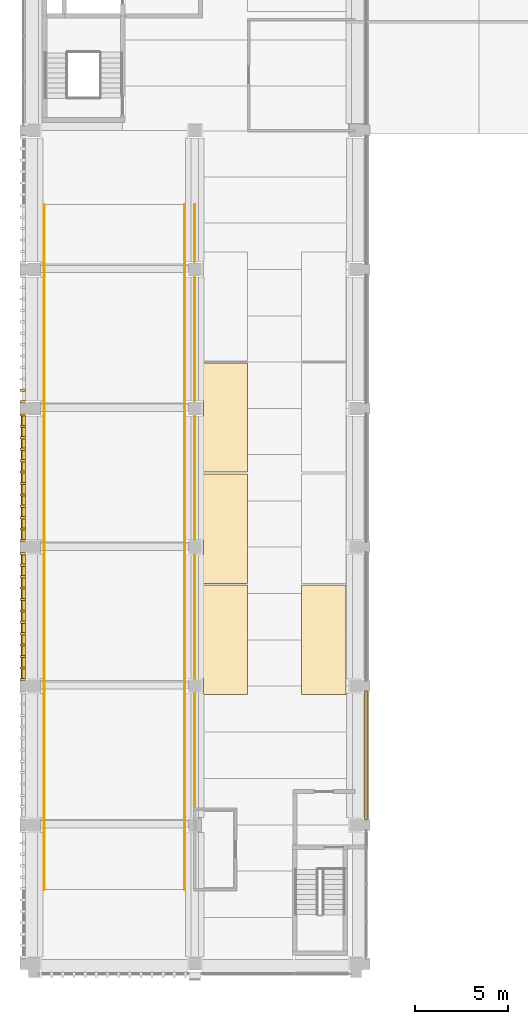
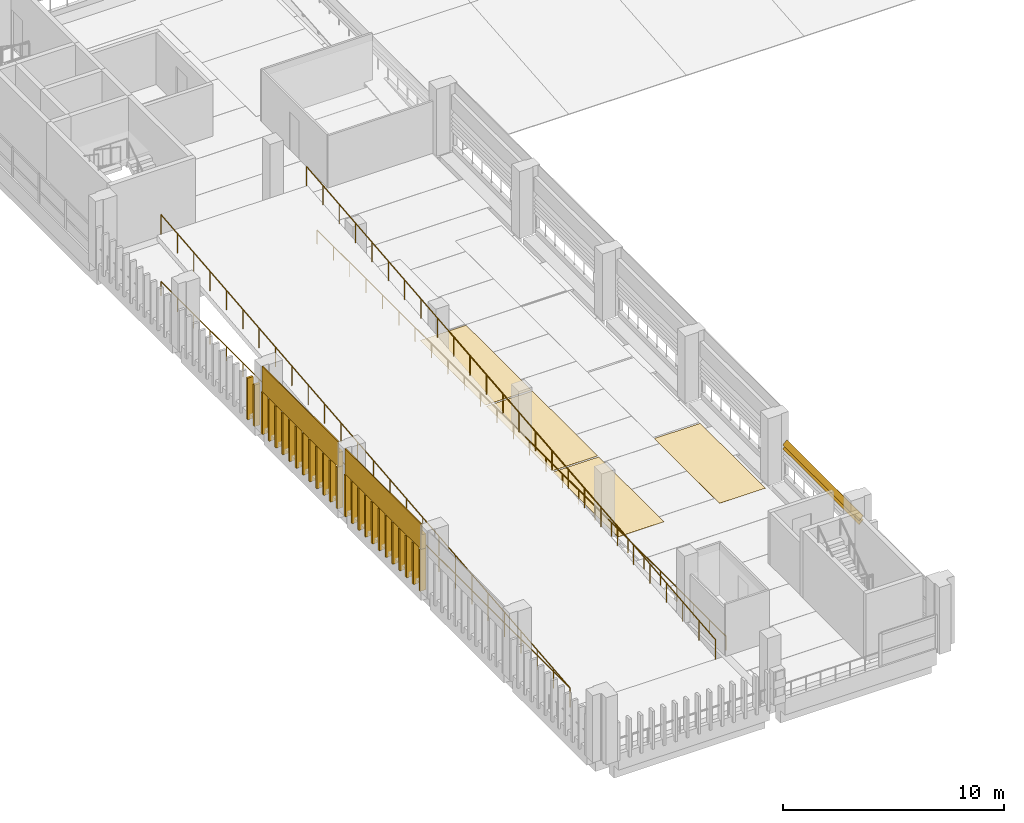
# One storey, part 16 of 24: 32 coverings, 4 railings, 2 shading devices.
"""IFC4 building model written with IfcOpenShell, lengths in metres."""

import ifcopenshell
import ifcopenshell.guid

model = None  # the IFC model being written
_history = None  # IfcOwnerHistory: only IFC2X3 demands one
_inside = {}  # id of a spatial element -> (the spatial element, [elements in it])
_under = {}  # id of a project, library or spatial element -> (it, [spatial elements below it])
_declared = {}  # id of a project -> (the project, [libraries it declares])
_typed = {}  # id of a type object -> (the type object, [elements of that type])
_made_of = {}  # id of a material, layer set ... -> (it, [elements and type objects made of it])


def new_model(schema):
    """Start an empty IFC model of exactly this schema.

    Asked for "IFC4X3", IfcOpenShell would pick the latest addendum, in which some entities
    have other attributes; the version numbers below select the first issue.
    IFC2X3 requires an IfcOwnerHistory on every rooted entity: one is made here for all.
    """
    global model, _history
    if schema == "IFC4X3":
        model = ifcopenshell.file(schema_version=(4, 3, 0, 0))
    else:
        model = ifcopenshell.file(schema=schema)
    _inside.clear()
    _under.clear()
    _declared.clear()
    _typed.clear()
    _made_of.clear()
    _history = None
    if model.schema == "IFC2X3":
        org = make("IfcOrganization", Name="unknown")
        user = make(
            "IfcPersonAndOrganization",
            ThePerson=make("IfcPerson", FamilyName="unknown"),
            TheOrganization=org,
        )
        app = make(
            "IfcApplication",
            ApplicationDeveloper=org,
            Version="unknown",
            ApplicationFullName="unknown",
            ApplicationIdentifier="unknown",
        )
        _history = make(
            "IfcOwnerHistory",
            OwningUser=user,
            OwningApplication=app,
            ChangeAction="ADDED",
            CreationDate=0,
        )
    return model


def make(cls, **values):
    """One entity of the class cls with the attributes given. An attribute that is None is left unset."""
    return model.create_entity(
        cls, **{name: value for name, value in values.items() if value is not None}
    )


def rooted(cls, **values):
    """An entity with a GlobalId (a new one), such as an element, a storey or a relation."""
    return make(cls, GlobalId=ifcopenshell.guid.new(), OwnerHistory=_history, **values)


def si_unit(unit_type, name, prefix=None):
    """IfcSIUnit, for example si_unit("LENGTHUNIT", "METRE", prefix="MILLI")."""
    return make("IfcSIUnit", UnitType=unit_type, Prefix=prefix, Name=name)


def assignment(units):
    """IfcUnitAssignment: the units of a project."""
    return None if units is None else make("IfcUnitAssignment", Units=units)


def point(xyz):
    """IfcCartesianPoint."""
    return None if xyz is None else make("IfcCartesianPoint", Coordinates=xyz)


def direction(xyz):
    """IfcDirection."""
    return None if xyz is None else make("IfcDirection", DirectionRatios=xyz)


def frame(location, z_axis=None, x_axis=None):
    """IfcAxis2Placement3D, a coordinate frame: its origin and axes. An axis left out is left unset."""
    return make(
        "IfcAxis2Placement3D",
        Location=point(location),
        Axis=direction(z_axis),
        RefDirection=direction(x_axis),
    )


def frame_2d(location, x_axis=None):
    """IfcAxis2Placement2D, a coordinate frame in the plane: its origin and x axis."""
    return make(
        "IfcAxis2Placement2D", Location=point(location), RefDirection=direction(x_axis)
    )


def origin():
    """The frame at (0, 0, 0) with its axes left unset."""
    return frame((0.0, 0.0, 0.0))


def origin_2d():
    """The frame at (0, 0) in the plane with its x axis left unset."""
    return frame_2d((0.0, 0.0))


def place(relative_to, where):
    """IfcLocalPlacement: puts the frame where relative to a parent placement (None: the world)."""
    return make(
        "IfcLocalPlacement", PlacementRelTo=relative_to, RelativePlacement=where
    )


def context(
    kind, dimensions, precision=None, world=None, true_north=None, identifier=None
):
    """IfcGeometricRepresentationContext, for example the 3D "Model" context."""
    return make(
        "IfcGeometricRepresentationContext",
        ContextIdentifier=identifier,
        ContextType=kind,
        CoordinateSpaceDimension=dimensions,
        Precision=precision,
        WorldCoordinateSystem=world,
        TrueNorth=true_north,
    )


def subcontext(parent, identifier, kind, view, scale=None):
    """IfcGeometricRepresentationSubContext, for example "Body" below "Model"."""
    return make(
        "IfcGeometricRepresentationSubContext",
        ContextIdentifier=identifier,
        ContextType=kind,
        ParentContext=parent,
        TargetScale=scale,
        TargetView=view,
    )


def project(units=None, contexts=None):
    """IfcProject with its units and contexts."""
    return rooted(
        "IfcProject",
        Name="project",
        RepresentationContexts=contexts,
        UnitsInContext=assignment(units),
    )


def spatial(cls, under=None, at=None, **own):
    """A site, building, storey or space (cls), placed at a placement, below another one or the project."""
    s = rooted(cls, ObjectPlacement=at, **own)
    if under is not None:
        _under.setdefault(under.id(), (under, []))[1].append(s)
    return s


def polyline(points):
    """IfcPolyline through the points."""
    return make("IfcPolyline", Points=[point(p) for p in points])


def profile(cls, at=None, kind="AREA", **sizes):
    """A parametric profile (cls). Its sizes go by their IFC names, for example OverallWidth=200.0."""
    return make(cls, ProfileType=kind, Position=at, **sizes)


def circle(**sizes):
    """IfcCircleProfileDef."""
    return profile("IfcCircleProfileDef", **sizes)


def outline(outer, holes=None, kind="AREA"):
    """IfcArbitraryClosedProfileDef: a profile drawn as a closed curve; with holes, ...WithVoids."""
    if holes is None:
        return make("IfcArbitraryClosedProfileDef", ProfileType=kind, OuterCurve=outer)
    return make(
        "IfcArbitraryProfileDefWithVoids",
        ProfileType=kind,
        OuterCurve=outer,
        InnerCurves=holes,
    )


def extrude(swept, where, along, depth):
    """IfcExtrudedAreaSolid: the profile swept, set in the frame where, extruded along a direction by depth."""
    return make(
        "IfcExtrudedAreaSolid",
        SweptArea=swept,
        Position=where,
        ExtrudedDirection=direction(along),
        Depth=depth,
    )


def shape(context_of_items, identifier, shape_type, items):
    """IfcShapeRepresentation: the items that make up one representation, for example the "Body"."""
    return make(
        "IfcShapeRepresentation",
        ContextOfItems=context_of_items,
        RepresentationIdentifier=identifier,
        RepresentationType=shape_type,
        Items=items,
    )


def material(Name=None, Category=None):
    """IfcMaterial."""
    return make("IfcMaterial", Name=Name, Category=Category)


def layer(
    of_material, thickness, ventilated=None, Name=None, Category=None, Priority=None
):
    """IfcMaterialLayer: one layer of a wall or slab, of a material (None: an air gap)."""
    return make(
        "IfcMaterialLayer",
        Material=of_material,
        LayerThickness=thickness,
        IsVentilated=ventilated,
        Name=Name,
        Category=Category,
        Priority=Priority,
    )


def layer_set(layers, Name=None):
    """IfcMaterialLayerSet."""
    return make("IfcMaterialLayerSet", MaterialLayers=layers, LayerSetName=Name)


def made_of(thing, what):
    """Note that an element or type object is made of a material, layer set ...; save() writes the relation."""
    if what is not None:
        _made_of.setdefault(what.id(), (what, []))[1].append(thing)
    return thing


def type_object(cls, material=None, **own):
    """A type object (cls), such as IfcWallType, which elements share."""
    return made_of(rooted(cls, **own), material)


def element(
    cls,
    number,
    at=None,
    inside=None,
    cuts=None,
    type_object=None,
    material=None,
    context=None,
    identifier="Body",
    shape_type=None,
    held_by="IfcProductDefinitionShape",
    body=None,
    shapes=None,
    **own,
):
    """One element of the class cls, such as IfcWall. Its Tag is "e" and its number.

    at: its placement. inside: the storey or other place that contains it. cuts: it is an
    opening in that element (IfcRelVoidsElement). A single representation is given by context,
    identifier, shape_type and body (its items); several are given by shapes. held_by: the class
    of the entity that holds the representations. save() writes the other relations.
    """
    e = rooted(cls, Tag="e%d" % number, ObjectPlacement=at, **own)
    if body is not None:
        shapes = [shape(context, identifier, shape_type, body)]
    if shapes is not None:
        e.Representation = make(held_by, Representations=shapes)
    if inside is not None:
        _inside.setdefault(inside.id(), (inside, []))[1].append(e)
    if cuts is not None:
        rooted(
            "IfcRelVoidsElement", RelatingBuildingElement=cuts, RelatedOpeningElement=e
        )
    if type_object is not None:
        _typed.setdefault(type_object.id(), (type_object, []))[1].append(e)
    return made_of(e, material)


def aggregate(whole, parts):
    """IfcRelAggregates: a whole, such as a stair, and the parts it consists of."""
    return rooted("IfcRelAggregates", RelatingObject=whole, RelatedObjects=parts)


def save(model, path):
    """Write the relations noted so far, then the file.

    IfcRelAggregates (storeys below a building ...), IfcRelContainedInSpatialStructure (elements
    in a storey), IfcRelDefinesByType, IfcRelAssociatesMaterial and IfcRelDeclares: one each for
    every whole, place, type object, material and project.
    """
    for whole, parts in _under.values():
        aggregate(whole, parts)
    for where, things in _inside.values():
        rooted(
            "IfcRelContainedInSpatialStructure",
            RelatedElements=things,
            RelatingStructure=where,
        )
    for kind, things in _typed.values():
        rooted("IfcRelDefinesByType", RelatedObjects=things, RelatingType=kind)
    for what, things in _made_of.values():
        rooted("IfcRelAssociatesMaterial", RelatedObjects=things, RelatingMaterial=what)
    for by, libraries in _declared.values():
        rooted("IfcRelDeclares", RelatingContext=by, RelatedDefinitions=libraries)
    model.write(path)


model = new_model("IFC4")

# Units and contexts
model_context = context("Model", 3, precision=1e-05, world=origin(), true_north=direction((0.0, 1.0)))
body_context = subcontext(model_context, "Body", "Model", "MODEL_VIEW")
ifc_project = project(units=[si_unit("LENGTHUNIT", "METRE"), si_unit("AREAUNIT", "SQUARE_METRE"), si_unit("VOLUMEUNIT", "CUBIC_METRE"), si_unit("PLANEANGLEUNIT", "RADIAN"), si_unit("MASSUNIT", "GRAM", prefix="KILO")], contexts=[model_context])

# Site, building, storey
site_placement = place(None, origin())
site = spatial("IfcSite", under=ifc_project, at=site_placement, CompositionType="ELEMENT")
building_placement = place(site_placement, origin())
building = spatial("IfcBuilding", under=site, at=building_placement, Name="Cour d'Honneur Mobility Palace", CompositionType="ELEMENT")
storey_placement = place(building_placement, frame((0.0, 0.0, 26.699951171875)))
storey = spatial("IfcBuildingStorey", under=building, at=storey_placement, Name="L07", CompositionType="ELEMENT", Elevation=26.699951171875)

# Coverings
ifc_material_1 = material(Name="Parking marking paint")
ifc_layer_1 = layer(ifc_material_1, 0.0048828125)
ifc_layer_set_1 = layer_set([ifc_layer_1], Name="Parking marking paint")
covering_type_1 = type_object("IfcCoveringType", Name="Parking bay marking", PredefinedType="FLOORING", material=ifc_layer_set_1)
covering_1_placement = place(storey_placement, origin())
element("IfcCovering", 1, at=covering_1_placement, inside=storey, type_object=covering_type_1, Name="Parking bay marking L07 9", PredefinedType="FLOORING", context=body_context, shape_type="SweptSolid", body=[
    extrude(outline(polyline([(11.550048828125, 14.550048828125), (9.14990234375, 14.550048828125), (9.14990234375, 20.449951171875), (11.550048828125, 20.449951171875), (11.550048828125, 14.550048828125)])), origin(), (0.0, 0.0, 1.0), 0.005126953125),
])
covering_2_placement = place(storey_placement, origin())
element("IfcCovering", 2, at=covering_2_placement, inside=storey, type_object=covering_type_1, Name="Parking bay marking L07 10", PredefinedType="FLOORING", context=body_context, shape_type="SweptSolid", body=[
    extrude(outline(polyline([(11.550048828125, 20.550048828125), (9.14990234375, 20.550048828125), (9.14990234375, 26.449951171875), (11.550048828125, 26.449951171875), (11.550048828125, 20.550048828125)])), origin(), (0.0, 0.0, 1.0), 0.005126953125),
])
covering_3_placement = place(storey_placement, origin())
element("IfcCovering", 3, at=covering_3_placement, inside=storey, type_object=covering_type_1, Name="Parking bay marking L07 11", PredefinedType="FLOORING", context=body_context, shape_type="SweptSolid", body=[
    extrude(outline(polyline([(11.550048828125, 26.550048828125), (9.14990234375, 26.550048828125), (9.14990234375, 32.449951171875), (11.550048828125, 32.449951171875), (11.550048828125, 26.550048828125)])), origin(), (0.0, 0.0, 1.0), 0.005126953125),
])
covering_4_placement = place(storey_placement, origin())
element("IfcCovering", 4, at=covering_4_placement, inside=storey, type_object=covering_type_1, Name="Parking bay marking L07 13", PredefinedType="FLOORING", context=body_context, shape_type="SweptSolid", body=[
    extrude(outline(polyline([(16.85009765625, 14.550048828125), (14.449951171875, 14.550048828125), (14.449951171875, 20.449951171875), (16.85009765625, 20.449951171875), (16.85009765625, 14.550048828125)])), origin(), (0.0, 0.0, 1.0), 0.005126953125),
])

# Railings
ifc_material_2 = material(Name="Painted steel", Category="steel")
railing_type_1 = type_object("IfcRailingType", Name="Ramp guard 1100", PredefinedType="GUARDRAIL", material=ifc_material_2)
railing_1_placement = place(storey_placement, frame((0.550048828125, 4.0, 0.0)))
element("IfcRailing", 5, at=railing_1_placement, inside=storey, type_object=railing_type_1, Name="Ramp guard Ramp West 8", PredefinedType="GUARDRAIL", context=body_context, shape_type="SweptSolid", body=[
    extrude(circle(Radius=0.02490234375, at=origin_2d()), frame((0.0, 0.0, 1.0751953125), z_axis=(0.0, 0.995037320222, 0.099502418892), x_axis=(-1.0, 0.0, 0.0)), (0.0, 0.0, 1.0), 37.1845703125),
    extrude(circle(Radius=0.02099609375, at=origin_2d()), origin(), (0.0, 0.0, 1.0), 1.050048828125),
    extrude(circle(Radius=0.02099609375, at=origin_2d()), frame((0.0, 1.47998046875, 0.14794921875)), (0.0, 0.0, 1.0), 1.050048828125),
    extrude(circle(Radius=0.02099609375, at=origin_2d()), frame((0.0, 2.9599609375, 0.2958984375)), (0.0, 0.0, 1.0), 1.050048828125),
    extrude(circle(Radius=0.02099609375, at=origin_2d()), frame((0.0, 4.43994140625, 0.444091796875)), (0.0, 0.0, 1.0), 1.050048828125),
    extrude(circle(Radius=0.02099609375, at=origin_2d()), frame((0.0, 5.919921875, 0.592041015625)), (0.0, 0.0, 1.0), 1.050048828125),
    extrude(circle(Radius=0.02099609375, at=origin_2d()), frame((0.0, 7.39990234375, 0.739990234375)), (0.0, 0.0, 1.0), 1.050048828125),
    extrude(circle(Radius=0.02099609375, at=origin_2d()), frame((0.0, 8.8798828125, 0.887939453125)), (0.0, 0.0, 1.0), 1.050048828125),
    extrude(circle(Radius=0.02099609375, at=origin_2d()), frame((0.0, 10.360107421875, 1.035888671875)), (0.0, 0.0, 1.0), 1.050048828125),
    extrude(circle(Radius=0.02099609375, at=origin_2d()), frame((0.0, 11.840087890625, 1.18408203125)), (0.0, 0.0, 1.0), 1.050048828125),
    extrude(circle(Radius=0.02099609375, at=origin_2d()), frame((0.0, 13.320068359375, 1.33203125)), (0.0, 0.0, 1.0), 1.050048828125),
    extrude(circle(Radius=0.02099609375, at=origin_2d()), frame((0.0, 14.800048828125, 1.47998046875)), (0.0, 0.0, 1.0), 1.050048828125),
    extrude(circle(Radius=0.02099609375, at=origin_2d()), frame((0.0, 16.280029296875, 1.6279296875)), (0.0, 0.0, 1.0), 1.050048828125),
    extrude(circle(Radius=0.02099609375, at=origin_2d()), frame((0.0, 17.760009765625, 1.77587890625)), (0.0, 0.0, 1.0), 1.050048828125),
    extrude(circle(Radius=0.02099609375, at=origin_2d()), frame((0.0, 19.239990234375, 1.924072265625)), (0.0, 0.0, 1.0), 1.050048828125),
    extrude(circle(Radius=0.02099609375, at=origin_2d()), frame((0.0, 20.719970703125, 2.072021484375)), (0.0, 0.0, 1.0), 1.050048828125),
    extrude(circle(Radius=0.02099609375, at=origin_2d()), frame((0.0, 22.199951171875, 2.219970703125)), (0.0, 0.0, 1.0), 1.050048828125),
    extrude(circle(Radius=0.02099609375, at=origin_2d()), frame((0.0, 23.679931640625, 2.367919921875)), (0.0, 0.0, 1.0), 1.050048828125),
    extrude(circle(Radius=0.02099609375, at=origin_2d()), frame((0.0, 25.159912109375, 2.515869140625)), (0.0, 0.0, 1.0), 1.050048828125),
    extrude(circle(Radius=0.02099609375, at=origin_2d()), frame((0.0, 26.639892578125, 2.6640625)), (0.0, 0.0, 1.0), 1.050048828125),
    extrude(circle(Radius=0.02099609375, at=origin_2d()), frame((0.0, 28.1201171875, 2.81201171875)), (0.0, 0.0, 1.0), 1.050048828125),
    extrude(circle(Radius=0.02099609375, at=origin_2d()), frame((0.0, 29.60009765625, 2.9599609375)), (0.0, 0.0, 1.0), 1.050048828125),
    extrude(circle(Radius=0.02099609375, at=origin_2d()), frame((0.0, 31.080078125, 3.10791015625)), (0.0, 0.0, 1.0), 1.050048828125),
    extrude(circle(Radius=0.02099609375, at=origin_2d()), frame((0.0, 32.56005859375, 3.255859375)), (0.0, 0.0, 1.0), 1.050048828125),
    extrude(circle(Radius=0.02099609375, at=origin_2d()), frame((0.0, 34.0400390625, 3.404052734375)), (0.0, 0.0, 1.0), 1.050048828125),
    extrude(circle(Radius=0.02099609375, at=origin_2d()), frame((0.0, 35.52001953125, 3.552001953125)), (0.0, 0.0, 1.0), 1.050048828125),
    extrude(circle(Radius=0.02099609375, at=origin_2d()), frame((0.0, 37.0, 3.699951171875)), (0.0, 0.0, 1.0), 1.050048828125),
])
railing_2_placement = place(storey_placement, frame((8.14990234375, 4.0, 0.0)))
element("IfcRailing", 6, at=railing_2_placement, inside=storey, type_object=railing_type_1, Name="Ramp guard Ramp West 8", PredefinedType="GUARDRAIL", context=body_context, shape_type="SweptSolid", body=[
    extrude(circle(Radius=0.02490234375, at=origin_2d()), frame((0.0, 0.0, 1.0751953125), z_axis=(0.0, 0.995037320222, 0.099502418892), x_axis=(-1.0, 0.0, 0.0)), (0.0, 0.0, 1.0), 37.1845703125),
    extrude(circle(Radius=0.02099609375, at=origin_2d()), origin(), (0.0, 0.0, 1.0), 1.050048828125),
    extrude(circle(Radius=0.02099609375, at=origin_2d()), frame((0.0, 1.47998046875, 0.14794921875)), (0.0, 0.0, 1.0), 1.050048828125),
    extrude(circle(Radius=0.02099609375, at=origin_2d()), frame((0.0, 2.9599609375, 0.2958984375)), (0.0, 0.0, 1.0), 1.050048828125),
    extrude(circle(Radius=0.02099609375, at=origin_2d()), frame((0.0, 4.43994140625, 0.444091796875)), (0.0, 0.0, 1.0), 1.050048828125),
    extrude(circle(Radius=0.02099609375, at=origin_2d()), frame((0.0, 5.919921875, 0.592041015625)), (0.0, 0.0, 1.0), 1.050048828125),
    extrude(circle(Radius=0.02099609375, at=origin_2d()), frame((0.0, 7.39990234375, 0.739990234375)), (0.0, 0.0, 1.0), 1.050048828125),
    extrude(circle(Radius=0.02099609375, at=origin_2d()), frame((0.0, 8.8798828125, 0.887939453125)), (0.0, 0.0, 1.0), 1.050048828125),
    extrude(circle(Radius=0.02099609375, at=origin_2d()), frame((0.0, 10.360107421875, 1.035888671875)), (0.0, 0.0, 1.0), 1.050048828125),
    extrude(circle(Radius=0.02099609375, at=origin_2d()), frame((0.0, 11.840087890625, 1.18408203125)), (0.0, 0.0, 1.0), 1.050048828125),
    extrude(circle(Radius=0.02099609375, at=origin_2d()), frame((0.0, 13.320068359375, 1.33203125)), (0.0, 0.0, 1.0), 1.050048828125),
    extrude(circle(Radius=0.02099609375, at=origin_2d()), frame((0.0, 14.800048828125, 1.47998046875)), (0.0, 0.0, 1.0), 1.050048828125),
    extrude(circle(Radius=0.02099609375, at=origin_2d()), frame((0.0, 16.280029296875, 1.6279296875)), (0.0, 0.0, 1.0), 1.050048828125),
    extrude(circle(Radius=0.02099609375, at=origin_2d()), frame((0.0, 17.760009765625, 1.77587890625)), (0.0, 0.0, 1.0), 1.050048828125),
    extrude(circle(Radius=0.02099609375, at=origin_2d()), frame((0.0, 19.239990234375, 1.924072265625)), (0.0, 0.0, 1.0), 1.050048828125),
    extrude(circle(Radius=0.02099609375, at=origin_2d()), frame((0.0, 20.719970703125, 2.072021484375)), (0.0, 0.0, 1.0), 1.050048828125),
    extrude(circle(Radius=0.02099609375, at=origin_2d()), frame((0.0, 22.199951171875, 2.219970703125)), (0.0, 0.0, 1.0), 1.050048828125),
    extrude(circle(Radius=0.02099609375, at=origin_2d()), frame((0.0, 23.679931640625, 2.367919921875)), (0.0, 0.0, 1.0), 1.050048828125),
    extrude(circle(Radius=0.02099609375, at=origin_2d()), frame((0.0, 25.159912109375, 2.515869140625)), (0.0, 0.0, 1.0), 1.050048828125),
    extrude(circle(Radius=0.02099609375, at=origin_2d()), frame((0.0, 26.639892578125, 2.6640625)), (0.0, 0.0, 1.0), 1.050048828125),
    extrude(circle(Radius=0.02099609375, at=origin_2d()), frame((0.0, 28.1201171875, 2.81201171875)), (0.0, 0.0, 1.0), 1.050048828125),
    extrude(circle(Radius=0.02099609375, at=origin_2d()), frame((0.0, 29.60009765625, 2.9599609375)), (0.0, 0.0, 1.0), 1.050048828125),
    extrude(circle(Radius=0.02099609375, at=origin_2d()), frame((0.0, 31.080078125, 3.10791015625)), (0.0, 0.0, 1.0), 1.050048828125),
    extrude(circle(Radius=0.02099609375, at=origin_2d()), frame((0.0, 32.56005859375, 3.255859375)), (0.0, 0.0, 1.0), 1.050048828125),
    extrude(circle(Radius=0.02099609375, at=origin_2d()), frame((0.0, 34.0400390625, 3.404052734375)), (0.0, 0.0, 1.0), 1.050048828125),
    extrude(circle(Radius=0.02099609375, at=origin_2d()), frame((0.0, 35.52001953125, 3.552001953125)), (0.0, 0.0, 1.0), 1.050048828125),
    extrude(circle(Radius=0.02099609375, at=origin_2d()), frame((0.0, 37.0, 3.699951171875)), (0.0, 0.0, 1.0), 1.050048828125),
])

# Coverings
ifc_material_3 = material(Name="Cast limestone", Category="masonry")
ifc_layer_2 = layer(ifc_material_3, 0.1201171875)
ifc_layer_set_2 = layer_set([ifc_layer_2], Name="Cast limestone")
covering_type_2 = type_object("IfcCoveringType", Name="Ramp screen fin", PredefinedType="CLADDING", material=ifc_layer_set_2)
covering_5_placement = place(storey_placement, origin())
element("IfcCovering", 7, at=covering_5_placement, inside=storey, type_object=covering_type_2, Name="Ramp screen fin W3.2 L07 11", PredefinedType="CLADDING", context=body_context, shape_type="SweptSolid", body=[
    extrude(outline(polyline([(-0.449951171875, 31.036376953125), (-0.449951171875, 30.916259765625), (-0.75, 30.916259765625), (-0.75, 31.036376953125), (-0.449951171875, 31.036376953125)])), origin(), (0.0, 0.0, 1.0), 2.300048828125),
])
covering_6_placement = place(storey_placement, origin())
element("IfcCovering", 8, at=covering_6_placement, inside=storey, type_object=covering_type_2, Name="Ramp screen fin W3.2 L07 12", PredefinedType="CLADDING", context=body_context, shape_type="SweptSolid", body=[
    extrude(outline(polyline([(-0.449951171875, 30.419921875), (-0.449951171875, 30.300048828125), (-0.75, 30.300048828125), (-0.75, 30.419921875), (-0.449951171875, 30.419921875)])), origin(), (0.0, 0.0, 1.0), 2.300048828125),
])
covering_7_placement = place(storey_placement, origin())
element("IfcCovering", 9, at=covering_7_placement, inside=storey, type_object=covering_type_2, Name="Ramp screen fin W3.3 L07 1", PredefinedType="CLADDING", context=body_context, shape_type="SweptSolid", body=[
    extrude(outline(polyline([(-0.449951171875, 29.699951171875), (-0.449951171875, 29.580078125), (-0.75, 29.580078125), (-0.75, 29.699951171875), (-0.449951171875, 29.699951171875)])), origin(), (0.0, 0.0, 1.0), 2.300048828125),
])
covering_8_placement = place(storey_placement, origin())
element("IfcCovering", 10, at=covering_8_placement, inside=storey, type_object=covering_type_2, Name="Ramp screen fin W3.3 L07 2", PredefinedType="CLADDING", context=body_context, shape_type="SweptSolid", body=[
    extrude(outline(polyline([(-0.449951171875, 29.083740234375), (-0.449951171875, 28.963623046875), (-0.75, 28.963623046875), (-0.75, 29.083740234375), (-0.449951171875, 29.083740234375)])), origin(), (0.0, 0.0, 1.0), 2.300048828125),
])
covering_9_placement = place(storey_placement, origin())
element("IfcCovering", 11, at=covering_9_placement, inside=storey, type_object=covering_type_2, Name="Ramp screen fin W3.3 L07 3", PredefinedType="CLADDING", context=body_context, shape_type="SweptSolid", body=[
    extrude(outline(polyline([(-0.449951171875, 28.46728515625), (-0.449951171875, 28.34716796875), (-0.75, 28.34716796875), (-0.75, 28.46728515625), (-0.449951171875, 28.46728515625)])), origin(), (0.0, 0.0, 1.0), 2.300048828125),
])
covering_10_placement = place(storey_placement, origin())
element("IfcCovering", 12, at=covering_10_placement, inside=storey, type_object=covering_type_2, Name="Ramp screen fin W3.3 L07 4", PredefinedType="CLADDING", context=body_context, shape_type="SweptSolid", body=[
    extrude(outline(polyline([(-0.449951171875, 27.850830078125), (-0.449951171875, 27.73095703125), (-0.75, 27.73095703125), (-0.75, 27.850830078125), (-0.449951171875, 27.850830078125)])), origin(), (0.0, 0.0, 1.0), 2.300048828125),
])
covering_11_placement = place(storey_placement, origin())
element("IfcCovering", 13, at=covering_11_placement, inside=storey, type_object=covering_type_2, Name="Ramp screen fin W3.3 L07 5", PredefinedType="CLADDING", context=body_context, shape_type="SweptSolid", body=[
    extrude(outline(polyline([(-0.449951171875, 27.234619140625), (-0.449951171875, 27.114501953125), (-0.75, 27.114501953125), (-0.75, 27.234619140625), (-0.449951171875, 27.234619140625)])), origin(), (0.0, 0.0, 1.0), 2.300048828125),
])
covering_12_placement = place(storey_placement, origin())
element("IfcCovering", 14, at=covering_12_placement, inside=storey, type_object=covering_type_2, Name="Ramp screen fin W3.3 L07 6", PredefinedType="CLADDING", context=body_context, shape_type="SweptSolid", body=[
    extrude(outline(polyline([(-0.449951171875, 26.6181640625), (-0.449951171875, 26.498291015625), (-0.75, 26.498291015625), (-0.75, 26.6181640625), (-0.449951171875, 26.6181640625)])), origin(), (0.0, 0.0, 1.0), 2.300048828125),
])
covering_13_placement = place(storey_placement, origin())
element("IfcCovering", 15, at=covering_13_placement, inside=storey, type_object=covering_type_2, Name="Ramp screen fin W3.3 L07 7", PredefinedType="CLADDING", context=body_context, shape_type="SweptSolid", body=[
    extrude(outline(polyline([(-0.449951171875, 26.001708984375), (-0.449951171875, 25.8818359375), (-0.75, 25.8818359375), (-0.75, 26.001708984375), (-0.449951171875, 26.001708984375)])), origin(), (0.0, 0.0, 1.0), 2.300048828125),
])
covering_14_placement = place(storey_placement, origin())
element("IfcCovering", 16, at=covering_14_placement, inside=storey, type_object=covering_type_2, Name="Ramp screen fin W3.3 L07 8", PredefinedType="CLADDING", context=body_context, shape_type="SweptSolid", body=[
    extrude(outline(polyline([(-0.449951171875, 25.385498046875), (-0.449951171875, 25.265380859375), (-0.75, 25.265380859375), (-0.75, 25.385498046875), (-0.449951171875, 25.385498046875)])), origin(), (0.0, 0.0, 1.0), 2.300048828125),
])
covering_15_placement = place(storey_placement, origin())
element("IfcCovering", 17, at=covering_15_placement, inside=storey, type_object=covering_type_2, Name="Ramp screen fin W3.3 L07 9", PredefinedType="CLADDING", context=body_context, shape_type="SweptSolid", body=[
    extrude(outline(polyline([(-0.449951171875, 24.76904296875), (-0.449951171875, 24.649169921875), (-0.75, 24.649169921875), (-0.75, 24.76904296875), (-0.449951171875, 24.76904296875)])), origin(), (0.0, 0.0, 1.0), 2.300048828125),
])
covering_16_placement = place(storey_placement, origin())
element("IfcCovering", 18, at=covering_16_placement, inside=storey, type_object=covering_type_2, Name="Ramp screen fin W3.3 L07 10", PredefinedType="CLADDING", context=body_context, shape_type="SweptSolid", body=[
    extrude(outline(polyline([(-0.449951171875, 24.15283203125), (-0.449951171875, 24.03271484375), (-0.75, 24.03271484375), (-0.75, 24.15283203125), (-0.449951171875, 24.15283203125)])), origin(), (0.0, 0.0, 1.0), 2.300048828125),
])
covering_17_placement = place(storey_placement, origin())
element("IfcCovering", 19, at=covering_17_placement, inside=storey, type_object=covering_type_2, Name="Ramp screen fin W3.3 L07 11", PredefinedType="CLADDING", context=body_context, shape_type="SweptSolid", body=[
    extrude(outline(polyline([(-0.449951171875, 23.536376953125), (-0.449951171875, 23.416259765625), (-0.75, 23.416259765625), (-0.75, 23.536376953125), (-0.449951171875, 23.536376953125)])), origin(), (0.0, 0.0, 1.0), 2.300048828125),
])
covering_18_placement = place(storey_placement, origin())
element("IfcCovering", 20, at=covering_18_placement, inside=storey, type_object=covering_type_2, Name="Ramp screen fin W3.3 L07 12", PredefinedType="CLADDING", context=body_context, shape_type="SweptSolid", body=[
    extrude(outline(polyline([(-0.449951171875, 22.919921875), (-0.449951171875, 22.800048828125), (-0.75, 22.800048828125), (-0.75, 22.919921875), (-0.449951171875, 22.919921875)])), origin(), (0.0, 0.0, 1.0), 2.300048828125),
])
covering_19_placement = place(storey_placement, origin())
element("IfcCovering", 21, at=covering_19_placement, inside=storey, type_object=covering_type_2, Name="Ramp screen fin W3.4 L07 1", PredefinedType="CLADDING", context=body_context, shape_type="SweptSolid", body=[
    extrude(outline(polyline([(-0.449951171875, 22.199951171875), (-0.449951171875, 22.080078125), (-0.75, 22.080078125), (-0.75, 22.199951171875), (-0.449951171875, 22.199951171875)])), origin(), (0.0, 0.0, 1.0), 2.300048828125),
])
covering_20_placement = place(storey_placement, origin())
element("IfcCovering", 22, at=covering_20_placement, inside=storey, type_object=covering_type_2, Name="Ramp screen fin W3.4 L07 2", PredefinedType="CLADDING", context=body_context, shape_type="SweptSolid", body=[
    extrude(outline(polyline([(-0.449951171875, 21.583740234375), (-0.449951171875, 21.463623046875), (-0.75, 21.463623046875), (-0.75, 21.583740234375), (-0.449951171875, 21.583740234375)])), origin(), (0.0, 0.0, 1.0), 2.300048828125),
])
covering_21_placement = place(storey_placement, origin())
element("IfcCovering", 23, at=covering_21_placement, inside=storey, type_object=covering_type_2, Name="Ramp screen fin W3.4 L07 3", PredefinedType="CLADDING", context=body_context, shape_type="SweptSolid", body=[
    extrude(outline(polyline([(-0.449951171875, 20.96728515625), (-0.449951171875, 20.84716796875), (-0.75, 20.84716796875), (-0.75, 20.96728515625), (-0.449951171875, 20.96728515625)])), origin(), (0.0, 0.0, 1.0), 2.300048828125),
])
covering_22_placement = place(storey_placement, origin())
element("IfcCovering", 24, at=covering_22_placement, inside=storey, type_object=covering_type_2, Name="Ramp screen fin W3.4 L07 4", PredefinedType="CLADDING", context=body_context, shape_type="SweptSolid", body=[
    extrude(outline(polyline([(-0.449951171875, 20.350830078125), (-0.449951171875, 20.23095703125), (-0.75, 20.23095703125), (-0.75, 20.350830078125), (-0.449951171875, 20.350830078125)])), origin(), (0.0, 0.0, 1.0), 2.300048828125),
])
covering_23_placement = place(storey_placement, origin())
element("IfcCovering", 25, at=covering_23_placement, inside=storey, type_object=covering_type_2, Name="Ramp screen fin W3.4 L07 5", PredefinedType="CLADDING", context=body_context, shape_type="SweptSolid", body=[
    extrude(outline(polyline([(-0.449951171875, 19.734619140625), (-0.449951171875, 19.614501953125), (-0.75, 19.614501953125), (-0.75, 19.734619140625), (-0.449951171875, 19.734619140625)])), origin(), (0.0, 0.0, 1.0), 2.300048828125),
])
covering_24_placement = place(storey_placement, origin())
element("IfcCovering", 26, at=covering_24_placement, inside=storey, type_object=covering_type_2, Name="Ramp screen fin W3.4 L07 6", PredefinedType="CLADDING", context=body_context, shape_type="SweptSolid", body=[
    extrude(outline(polyline([(-0.449951171875, 19.1181640625), (-0.449951171875, 18.998291015625), (-0.75, 18.998291015625), (-0.75, 19.1181640625), (-0.449951171875, 19.1181640625)])), origin(), (0.0, 0.0, 1.0), 2.300048828125),
])
covering_25_placement = place(storey_placement, origin())
element("IfcCovering", 27, at=covering_25_placement, inside=storey, type_object=covering_type_2, Name="Ramp screen fin W3.4 L07 7", PredefinedType="CLADDING", context=body_context, shape_type="SweptSolid", body=[
    extrude(outline(polyline([(-0.449951171875, 18.501708984375), (-0.449951171875, 18.3818359375), (-0.75, 18.3818359375), (-0.75, 18.501708984375), (-0.449951171875, 18.501708984375)])), origin(), (0.0, 0.0, 1.0), 2.300048828125),
])
covering_26_placement = place(storey_placement, origin())
element("IfcCovering", 28, at=covering_26_placement, inside=storey, type_object=covering_type_2, Name="Ramp screen fin W3.4 L07 8", PredefinedType="CLADDING", context=body_context, shape_type="SweptSolid", body=[
    extrude(outline(polyline([(-0.449951171875, 17.885498046875), (-0.449951171875, 17.765380859375), (-0.75, 17.765380859375), (-0.75, 17.885498046875), (-0.449951171875, 17.885498046875)])), origin(), (0.0, 0.0, 1.0), 2.300048828125),
])
covering_27_placement = place(storey_placement, origin())
element("IfcCovering", 29, at=covering_27_placement, inside=storey, type_object=covering_type_2, Name="Ramp screen fin W3.4 L07 9", PredefinedType="CLADDING", context=body_context, shape_type="SweptSolid", body=[
    extrude(outline(polyline([(-0.449951171875, 17.26904296875), (-0.449951171875, 17.149169921875), (-0.75, 17.149169921875), (-0.75, 17.26904296875), (-0.449951171875, 17.26904296875)])), origin(), (0.0, 0.0, 1.0), 2.300048828125),
])
covering_28_placement = place(storey_placement, origin())
element("IfcCovering", 30, at=covering_28_placement, inside=storey, type_object=covering_type_2, Name="Ramp screen fin W3.4 L07 10", PredefinedType="CLADDING", context=body_context, shape_type="SweptSolid", body=[
    extrude(outline(polyline([(-0.449951171875, 16.65283203125), (-0.449951171875, 16.53271484375), (-0.75, 16.53271484375), (-0.75, 16.65283203125), (-0.449951171875, 16.65283203125)])), origin(), (0.0, 0.0, 1.0), 2.300048828125),
])
covering_29_placement = place(storey_placement, origin())
element("IfcCovering", 31, at=covering_29_placement, inside=storey, type_object=covering_type_2, Name="Ramp screen fin W3.4 L07 11", PredefinedType="CLADDING", context=body_context, shape_type="SweptSolid", body=[
    extrude(outline(polyline([(-0.449951171875, 16.036376953125), (-0.449951171875, 15.916259765625), (-0.75, 15.916259765625), (-0.75, 16.036376953125), (-0.449951171875, 16.036376953125)])), origin(), (0.0, 0.0, 1.0), 2.300048828125),
])
covering_30_placement = place(storey_placement, origin())
element("IfcCovering", 32, at=covering_30_placement, inside=storey, type_object=covering_type_2, Name="Ramp screen fin W3.4 L07 12", PredefinedType="CLADDING", context=body_context, shape_type="SweptSolid", body=[
    extrude(outline(polyline([(-0.449951171875, 15.419921875), (-0.449951171875, 15.300048828125), (-0.75, 15.300048828125), (-0.75, 15.419921875), (-0.449951171875, 15.419921875)])), origin(), (0.0, 0.0, 1.0), 2.300048828125),
])
ifc_material_4 = material(Name="Cast limestone", Category="masonry")
ifc_layer_3 = layer(ifc_material_4, 0.25)
ifc_layer_set_3 = layer_set([ifc_layer_3], Name="Cast limestone")
covering_type_3 = type_object("IfcCoveringType", Name="Spandrel cladding", PredefinedType="CLADDING", material=ifc_layer_set_3)
for number, where, z_axis, x_axis, name in (
    (33, (-0.449951171875, 29.699951171875, 2.300048828125), (0.0, 1.0, 0.0), (-1.0, 0.0, 0.0), "Spandrel cladding SK-380"),
    (34, (-0.449951171875, 22.199951171875, 2.300048828125), (0.0, 1.0, 0.0), (-1.0, 0.0, 0.0), "Spandrel cladding SK-381"),
):
    element("IfcCovering", number, at=place(storey_placement, frame(where, z_axis=z_axis, x_axis=x_axis)), inside=storey, type_object=covering_type_3, Name=name, PredefinedType="CLADDING", context=body_context, shape_type="SweptSolid", body=[
        extrude(outline(polyline([(0.0, 0.0), (0.25, 0.0), (0.25, 1.39990234375), (0.199951171875, 1.39990234375), (0.199951171875, 0.800048828125), (0.0, 0.800048828125), (0.0, 0.0)])), origin(), (0.0, 0.0, -1.0), 6.89990234375),
    ])

# Shading devices
ifc_material_5 = material(Name="Terracotta", Category="masonry")
ifc_layer_4 = layer(ifc_material_5, 0.02490234375)
ifc_layer_set_4 = layer_set([ifc_layer_4], Name="Terracotta")
shading_device_type = type_object("IfcShadingDeviceType", Name="Terracotta louvre blade", PredefinedType="JALOUSIE", material=ifc_layer_set_4)
for number, where, z_axis, x_axis, name in (
    (35, (17.843994140625, 7.800048828125, 1.736328125), (-0.707106781187, 0.0, 0.707106781187), (0.0, 1.0, 0.0), "Louvre blade LV-1 E1.1 L07 4"),
    (36, (17.843994140625, 7.800048828125, 1.948486328125), (-0.707106781187, 0.0, 0.707106781187), (0.0, 1.0, 0.0), "Louvre blade LV-1 E1.1 L07 5"),
):
    element("IfcShadingDevice", number, at=place(storey_placement, frame(where, z_axis=z_axis, x_axis=x_axis)), inside=storey, type_object=shading_device_type, Name=name, PredefinedType="JALOUSIE", context=body_context, shape_type="SweptSolid", body=[
        extrude(outline(polyline([(0.0, 0.0), (6.89990234375, 0.0), (6.89990234375, -0.300037008228081), (0.0, -0.300037008228081), (0.0, 0.0)])), origin(), (0.0, 0.0, -1.0), 0.02490234375),
    ])

# Railings
ifc_material_6 = material(Name="Painted steel", Category="steel")
railing_type_2 = type_object("IfcRailingType", Name="Void edge guard 1100", PredefinedType="GUARDRAIL", material=ifc_material_6)
railing_3_placement = place(storey_placement, frame((8.699951171875, 4.0, 0.300048828125)))
element("IfcRailing", 37, at=railing_3_placement, inside=storey, type_object=railing_type_2, Name="Void edge guard SW L07", PredefinedType="GUARDRAIL", context=body_context, shape_type="SweptSolid", body=[
    extrude(circle(Radius=0.02490234375, at=origin_2d()), frame((0.0, 0.0, 0.77490234375), z_axis=(0.0, 1.0, 0.0), x_axis=(-1.0, 0.0, 0.0)), (0.0, 0.0, 1.0), 37.0),
    extrude(circle(Radius=0.02099609375, at=origin_2d()), origin(), (0.0, 0.0, 1.0), 0.75),
    extrude(circle(Radius=0.02099609375, at=origin_2d()), frame((0.0, 1.47998046875, 0.0)), (0.0, 0.0, 1.0), 0.75),
    extrude(circle(Radius=0.02099609375, at=origin_2d()), frame((0.0, 2.9599609375, 0.0)), (0.0, 0.0, 1.0), 0.75),
    extrude(circle(Radius=0.02099609375, at=origin_2d()), frame((0.0, 4.43994140625, 0.0)), (0.0, 0.0, 1.0), 0.75),
    extrude(circle(Radius=0.02099609375, at=origin_2d()), frame((0.0, 5.919921875, 0.0)), (0.0, 0.0, 1.0), 0.75),
    extrude(circle(Radius=0.02099609375, at=origin_2d()), frame((0.0, 7.39990234375, 0.0)), (0.0, 0.0, 1.0), 0.75),
    extrude(circle(Radius=0.02099609375, at=origin_2d()), frame((0.0, 8.8798828125, 0.0)), (0.0, 0.0, 1.0), 0.75),
    extrude(circle(Radius=0.02099609375, at=origin_2d()), frame((0.0, 10.360107421875, 0.0)), (0.0, 0.0, 1.0), 0.75),
    extrude(circle(Radius=0.02099609375, at=origin_2d()), frame((0.0, 11.840087890625, 0.0)), (0.0, 0.0, 1.0), 0.75),
    extrude(circle(Radius=0.02099609375, at=origin_2d()), frame((0.0, 13.320068359375, 0.0)), (0.0, 0.0, 1.0), 0.75),
    extrude(circle(Radius=0.02099609375, at=origin_2d()), frame((0.0, 14.800048828125, 0.0)), (0.0, 0.0, 1.0), 0.75),
    extrude(circle(Radius=0.02099609375, at=origin_2d()), frame((0.0, 16.280029296875, 0.0)), (0.0, 0.0, 1.0), 0.75),
    extrude(circle(Radius=0.02099609375, at=origin_2d()), frame((0.0, 17.760009765625, 0.0)), (0.0, 0.0, 1.0), 0.75),
    extrude(circle(Radius=0.02099609375, at=origin_2d()), frame((0.0, 19.239990234375, 0.0)), (0.0, 0.0, 1.0), 0.75),
    extrude(circle(Radius=0.02099609375, at=origin_2d()), frame((0.0, 20.719970703125, 0.0)), (0.0, 0.0, 1.0), 0.75),
    extrude(circle(Radius=0.02099609375, at=origin_2d()), frame((0.0, 22.199951171875, 0.0)), (0.0, 0.0, 1.0), 0.75),
    extrude(circle(Radius=0.02099609375, at=origin_2d()), frame((0.0, 23.679931640625, 0.0)), (0.0, 0.0, 1.0), 0.75),
    extrude(circle(Radius=0.02099609375, at=origin_2d()), frame((0.0, 25.159912109375, 0.0)), (0.0, 0.0, 1.0), 0.75),
    extrude(circle(Radius=0.02099609375, at=origin_2d()), frame((0.0, 26.639892578125, 0.0)), (0.0, 0.0, 1.0), 0.75),
    extrude(circle(Radius=0.02099609375, at=origin_2d()), frame((0.0, 28.1201171875, 0.0)), (0.0, 0.0, 1.0), 0.75),
    extrude(circle(Radius=0.02099609375, at=origin_2d()), frame((0.0, 29.60009765625, 0.0)), (0.0, 0.0, 1.0), 0.75),
    extrude(circle(Radius=0.02099609375, at=origin_2d()), frame((0.0, 31.080078125, 0.0)), (0.0, 0.0, 1.0), 0.75),
    extrude(circle(Radius=0.02099609375, at=origin_2d()), frame((0.0, 32.56005859375, 0.0)), (0.0, 0.0, 1.0), 0.75),
    extrude(circle(Radius=0.02099609375, at=origin_2d()), frame((0.0, 34.0400390625, 0.0)), (0.0, 0.0, 1.0), 0.75),
    extrude(circle(Radius=0.02099609375, at=origin_2d()), frame((0.0, 35.52001953125, 0.0)), (0.0, 0.0, 1.0), 0.75),
    extrude(circle(Radius=0.02099609375, at=origin_2d()), frame((0.0, 37.0, 0.0)), (0.0, 0.0, 1.0), 0.75),
])
railing_4_placement = place(storey_placement, frame((0.550048828125, 4.0, 0.300048828125)))
element("IfcRailing", 38, at=railing_4_placement, inside=storey, type_object=railing_type_2, Name="Void edge guard SW L07", PredefinedType="GUARDRAIL", context=body_context, shape_type="SweptSolid", body=[
    extrude(circle(Radius=0.02490234375, at=origin_2d()), frame((0.0, 0.0, 0.77490234375), z_axis=(0.0, 1.0, 0.0), x_axis=(-1.0, 0.0, 0.0)), (0.0, 0.0, 1.0), 37.0),
    extrude(circle(Radius=0.02099609375, at=origin_2d()), origin(), (0.0, 0.0, 1.0), 0.75),
    extrude(circle(Radius=0.02099609375, at=origin_2d()), frame((0.0, 1.47998046875, 0.0)), (0.0, 0.0, 1.0), 0.75),
    extrude(circle(Radius=0.02099609375, at=origin_2d()), frame((0.0, 2.9599609375, 0.0)), (0.0, 0.0, 1.0), 0.75),
    extrude(circle(Radius=0.02099609375, at=origin_2d()), frame((0.0, 4.43994140625, 0.0)), (0.0, 0.0, 1.0), 0.75),
    extrude(circle(Radius=0.02099609375, at=origin_2d()), frame((0.0, 5.919921875, 0.0)), (0.0, 0.0, 1.0), 0.75),
    extrude(circle(Radius=0.02099609375, at=origin_2d()), frame((0.0, 7.39990234375, 0.0)), (0.0, 0.0, 1.0), 0.75),
    extrude(circle(Radius=0.02099609375, at=origin_2d()), frame((0.0, 8.8798828125, 0.0)), (0.0, 0.0, 1.0), 0.75),
    extrude(circle(Radius=0.02099609375, at=origin_2d()), frame((0.0, 10.360107421875, 0.0)), (0.0, 0.0, 1.0), 0.75),
    extrude(circle(Radius=0.02099609375, at=origin_2d()), frame((0.0, 11.840087890625, 0.0)), (0.0, 0.0, 1.0), 0.75),
    extrude(circle(Radius=0.02099609375, at=origin_2d()), frame((0.0, 13.320068359375, 0.0)), (0.0, 0.0, 1.0), 0.75),
    extrude(circle(Radius=0.02099609375, at=origin_2d()), frame((0.0, 14.800048828125, 0.0)), (0.0, 0.0, 1.0), 0.75),
    extrude(circle(Radius=0.02099609375, at=origin_2d()), frame((0.0, 16.280029296875, 0.0)), (0.0, 0.0, 1.0), 0.75),
    extrude(circle(Radius=0.02099609375, at=origin_2d()), frame((0.0, 17.760009765625, 0.0)), (0.0, 0.0, 1.0), 0.75),
    extrude(circle(Radius=0.02099609375, at=origin_2d()), frame((0.0, 19.239990234375, 0.0)), (0.0, 0.0, 1.0), 0.75),
    extrude(circle(Radius=0.02099609375, at=origin_2d()), frame((0.0, 20.719970703125, 0.0)), (0.0, 0.0, 1.0), 0.75),
    extrude(circle(Radius=0.02099609375, at=origin_2d()), frame((0.0, 22.199951171875, 0.0)), (0.0, 0.0, 1.0), 0.75),
    extrude(circle(Radius=0.02099609375, at=origin_2d()), frame((0.0, 23.679931640625, 0.0)), (0.0, 0.0, 1.0), 0.75),
    extrude(circle(Radius=0.02099609375, at=origin_2d()), frame((0.0, 25.159912109375, 0.0)), (0.0, 0.0, 1.0), 0.75),
    extrude(circle(Radius=0.02099609375, at=origin_2d()), frame((0.0, 26.639892578125, 0.0)), (0.0, 0.0, 1.0), 0.75),
    extrude(circle(Radius=0.02099609375, at=origin_2d()), frame((0.0, 28.1201171875, 0.0)), (0.0, 0.0, 1.0), 0.75),
    extrude(circle(Radius=0.02099609375, at=origin_2d()), frame((0.0, 29.60009765625, 0.0)), (0.0, 0.0, 1.0), 0.75),
    extrude(circle(Radius=0.02099609375, at=origin_2d()), frame((0.0, 31.080078125, 0.0)), (0.0, 0.0, 1.0), 0.75),
    extrude(circle(Radius=0.02099609375, at=origin_2d()), frame((0.0, 32.56005859375, 0.0)), (0.0, 0.0, 1.0), 0.75),
    extrude(circle(Radius=0.02099609375, at=origin_2d()), frame((0.0, 34.0400390625, 0.0)), (0.0, 0.0, 1.0), 0.75),
    extrude(circle(Radius=0.02099609375, at=origin_2d()), frame((0.0, 35.52001953125, 0.0)), (0.0, 0.0, 1.0), 0.75),
    extrude(circle(Radius=0.02099609375, at=origin_2d()), frame((0.0, 37.0, 0.0)), (0.0, 0.0, 1.0), 0.75),
])

save(model, "model.ifc")
